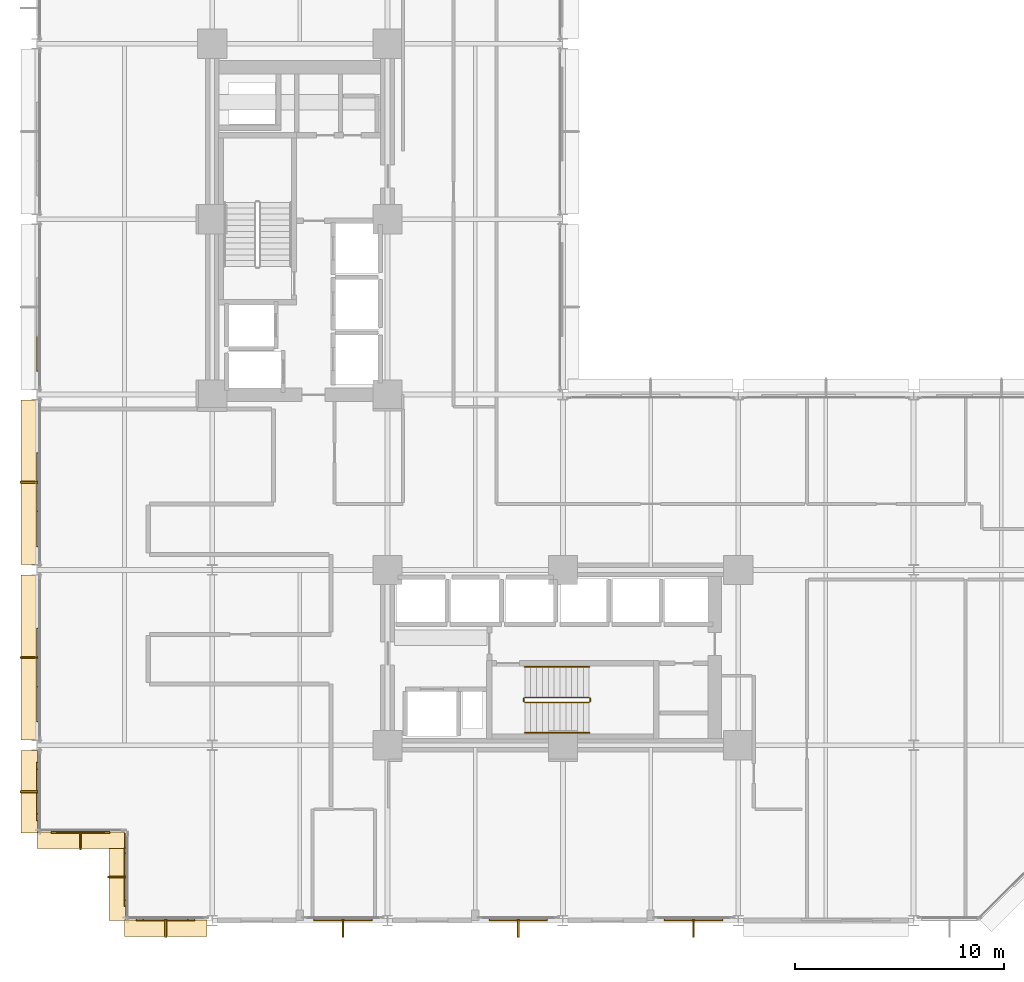
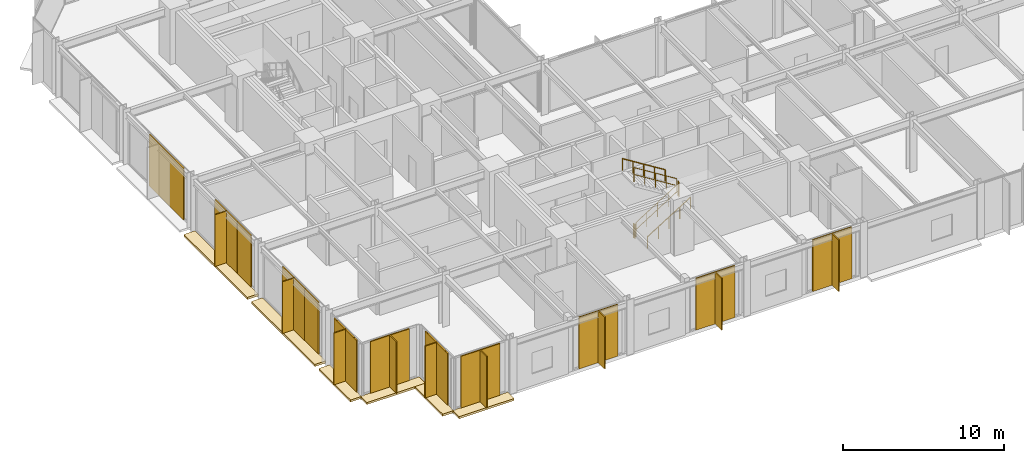
# One storey, part 27 of 30: 18 shading devices, 13 coverings, 6 railings.
"""IFC4 building model written with IfcOpenShell, lengths in metres."""

from ifc_helpers import new_model, si_unit, direction, frame, origin, origin_2d, place, context, subcontext, project, spatial, polyline, rectangle, circle, outline, extrude, material, layer, layer_set, type_object, element, save


model = new_model("IFC4")

# Units and contexts
model_context = context("Model", 3, precision=1e-05, world=origin(), true_north=direction((0.0, 1.0)))
body_context = subcontext(model_context, "Body", "Model", "MODEL_VIEW")
ifc_project = project(units=[si_unit("LENGTHUNIT", "METRE"), si_unit("AREAUNIT", "SQUARE_METRE"), si_unit("VOLUMEUNIT", "CUBIC_METRE"), si_unit("PLANEANGLEUNIT", "RADIAN"), si_unit("MASSUNIT", "GRAM", prefix="KILO")], contexts=[model_context])

# Site, building, storey
site_placement = place(None, origin())
site = spatial("IfcSite", under=ifc_project, at=site_placement, CompositionType="ELEMENT")
building_placement = place(site_placement, origin())
building = spatial("IfcBuilding", under=site, at=building_placement, Name="Nerrivon Quay Data Exchange", CompositionType="ELEMENT")
storey_placement = place(building_placement, frame((0.0, 0.0, 62.60009765625)))
storey = spatial("IfcBuildingStorey", under=building, at=storey_placement, Name="L14", CompositionType="ELEMENT", Elevation=62.60009765625)

# Coverings
ifc_material_1 = material(Name="Architectural terracotta ceramic", Category="masonry")
ifc_layer_1 = layer(ifc_material_1, 0.159912109375)
ifc_layer_set_1 = layer_set([ifc_layer_1], Name="Architectural terracotta ceramic")
covering_type_1 = type_object("IfcCoveringType", Name="COV-BLD-TERR", PredefinedType="CLADDING", material=ifc_layer_set_1)
covering_1_placement = place(storey_placement, frame((0.0, 0.0, -0.16015625)))
element("IfcCovering", 1, at=covering_1_placement, inside=storey, type_object=covering_type_1, Name="L14 Horizontal Terracotta SOLAR SCREEN Blade", PredefinedType="CLADDING", context=body_context, shape_type="SweptSolid", body=[
    extrude(outline(polyline([(8.14990234375, 0.0400390625), (4.199951171875, 0.0400390625), (4.199951171875, -0.75), (8.14990234375, -0.75), (8.14990234375, 0.0400390625)])), origin(), (0.0, 0.0, 1.0), 0.16015625),
])
covering_2_placement = place(storey_placement, frame((0.0, 0.0, -0.16015625)))
element("IfcCovering", 2, at=covering_2_placement, inside=storey, type_object=covering_type_1, Name="L14 Horizontal Terracotta SOLAR SCREEN Blade", PredefinedType="CLADDING", context=body_context, shape_type="SweptSolid", body=[
    extrude(outline(polyline([(4.239990234375, 0.0), (4.239990234375, 4.199951171875), (3.449951171875, 4.199951171875), (3.449951171875, 0.0), (4.239990234375, 0.0)])), origin(), (0.0, 0.0, 1.0), 0.16015625),
])
covering_3_placement = place(storey_placement, frame((0.0, 0.0, -0.16015625)))
element("IfcCovering", 3, at=covering_3_placement, inside=storey, type_object=covering_type_1, Name="L14 Horizontal Terracotta SOLAR SCREEN Blade", PredefinedType="CLADDING", context=body_context, shape_type="SweptSolid", body=[
    extrude(outline(polyline([(4.199951171875, 4.239990234375), (0.0, 4.239990234375), (0.0, 3.449951171875), (4.199951171875, 3.449951171875), (4.199951171875, 4.239990234375)])), origin(), (0.0, 0.0, 1.0), 0.16015625),
])
covering_4_placement = place(storey_placement, frame((0.0, 0.0, -0.16015625)))
element("IfcCovering", 4, at=covering_4_placement, inside=storey, type_object=covering_type_1, Name="L14 Horizontal Terracotta SOLAR SCREEN Blade", PredefinedType="CLADDING", context=body_context, shape_type="SweptSolid", body=[
    extrude(outline(polyline([(0.0400390625, 4.199951171875), (0.0400390625, 8.14990234375), (-0.75, 8.14990234375), (-0.75, 4.199951171875), (0.0400390625, 4.199951171875)])), origin(), (0.0, 0.0, 1.0), 0.16015625),
])
covering_5_placement = place(storey_placement, frame((0.0, 0.0, -0.16015625)))
element("IfcCovering", 5, at=covering_5_placement, inside=storey, type_object=covering_type_1, Name="L14 Horizontal Terracotta SOLAR SCREEN Blade", PredefinedType="CLADDING", context=body_context, shape_type="SweptSolid", body=[
    extrude(outline(polyline([(0.0400390625, 8.64990234375), (0.0400390625, 16.550048828125), (-0.75, 16.550048828125), (-0.75, 8.64990234375), (0.0400390625, 8.64990234375)])), origin(), (0.0, 0.0, 1.0), 0.16015625),
])
covering_6_placement = place(storey_placement, frame((0.0, 0.0, -0.16015625)))
element("IfcCovering", 6, at=covering_6_placement, inside=storey, type_object=covering_type_1, Name="L14 Horizontal Terracotta SOLAR SCREEN Blade", PredefinedType="CLADDING", context=body_context, shape_type="SweptSolid", body=[
    extrude(outline(polyline([(0.0400390625, 17.050048828125), (0.0400390625, 24.949951171875), (-0.75, 24.949951171875), (-0.75, 17.050048828125), (0.0400390625, 17.050048828125)])), origin(), (0.0, 0.0, 1.0), 0.16015625),
])
ifc_layer_2 = layer(ifc_material_1, 0.090087890625)
ifc_layer_set_2 = layer_set([ifc_layer_2], Name="Architectural terracotta ceramic")
covering_type_2 = type_object("IfcCoveringType", Name="COV-SCR-TERR", PredefinedType="CLADDING", material=ifc_layer_set_2)
covering_7_placement = place(storey_placement, frame((6.175048828125, 0.044921875, 0.0), z_axis=(0.0, 0.0, 1.0), x_axis=(-1.0, 0.0, 0.0)))
element("IfcCovering", 7, at=covering_7_placement, inside=storey, type_object=covering_type_2, Name="L14 Perforated Terracotta SOLAR SCREEN Cassette", PredefinedType="CLADDING", context=body_context, shape_type="SweptSolid", body=[
    extrude(rectangle(XDim=2.133056640625, YDim=0.090087890625, at=origin_2d()), origin(), (0.0, 0.0, 1.0), 3.925048828125),
])
for number, where, z_axis, x_axis, name in (
    (8, (4.2451171875, 2.10009765625, 0.0), (0.0, 0.0, 1.0), (0.0, 1.0, 0.0), "L14 Perforated Terracotta SOLAR SCREEN Cassette"),
    (9, (2.10009765625, 4.2451171875, 0.0), (0.0, 0.0, 1.0), (-1.0, 0.0, 0.0), "L14 Perforated Terracotta SOLAR SCREEN Cassette"),
):
    element("IfcCovering", number, at=place(storey_placement, frame(where, z_axis=z_axis, x_axis=x_axis)), inside=storey, type_object=covering_type_2, Name=name, PredefinedType="CLADDING", context=body_context, shape_type="SweptSolid", body=[
        extrude(rectangle(XDim=2.26806640625, YDim=0.090087890625, at=origin_2d()), origin(), (0.0, 0.0, 1.0), 3.925048828125),
    ])
covering_8_placement = place(storey_placement, frame((0.044921875, 6.175048828125, 0.0), z_axis=(0.0, 0.0, 1.0), x_axis=(0.0, 1.0, 0.0)))
element("IfcCovering", 10, at=covering_8_placement, inside=storey, type_object=covering_type_2, Name="L14 Perforated Terracotta SOLAR SCREEN Cassette", PredefinedType="CLADDING", context=body_context, shape_type="SweptSolid", body=[
    extrude(rectangle(XDim=2.133056640625, YDim=0.090087890625, at=origin_2d()), origin(), (0.0, 0.0, 1.0), 3.925048828125),
])
for number, where, z_axis, x_axis, name in (
    (11, (0.044921875, 11.652099609375, 0.0), (0.0, 0.0, 1.0), (0.0, 1.0, 0.0), "L14 Perforated Terracotta SOLAR SCREEN Cassette"),
    (12, (0.044921875, 20.052001953125, 0.0), (0.0, 0.0, 1.0), (0.0, 1.0, 0.0), "L14 Perforated Terracotta SOLAR SCREEN Cassette"),
    (13, (0.044921875, 28.451904296875, 0.0), (0.0, 0.0, 1.0), (0.0, 1.0, 0.0), "L14 Perforated Terracotta SOLAR SCREEN Cassette"),
):
    element("IfcCovering", number, at=place(storey_placement, frame(where, z_axis=z_axis, x_axis=x_axis)), inside=storey, type_object=covering_type_2, Name=name, PredefinedType="CLADDING", context=body_context, shape_type="SweptSolid", body=[
        extrude(rectangle(XDim=4.26611328125, YDim=0.090087890625, at=origin_2d()), origin(), (0.0, 0.0, 1.0), 3.925048828125),
    ])

# Railings
ifc_material_2 = material(Name="Steel Grade C350L0 (350 MPa)", Category="steel")
railing_type_1 = type_object("IfcRailingType", Name="RAIL-HAND-HR1", PredefinedType="HANDRAIL", material=ifc_material_2)
railing_1_placement = place(storey_placement, frame((23.3798828125, 9.0, 0.1748046875)))
element("IfcRailing", 14, at=railing_1_placement, inside=storey, type_object=railing_type_1, Name="L14 ST02 stair handrail 1", PredefinedType="HANDRAIL", context=body_context, shape_type="SweptSolid", body=[
    extrude(circle(Radius=0.02392578125, at=origin_2d()), frame((0.0, 0.0, 0.8759765625), z_axis=(0.847998304005, 0.0, 0.529998940003), x_axis=(0.0, 1.0, 0.0)), (0.0, 0.0, 1.0), 3.632080078125),
    extrude(circle(Radius=0.02099609375, at=origin_2d()), origin(), (0.0, 0.0, 1.0), 0.851806640625),
    extrude(circle(Radius=0.02099609375, at=origin_2d()), frame((0.77001953125, 0.0, 0.481201171875)), (0.0, 0.0, 1.0), 0.851806640625),
    extrude(circle(Radius=0.02099609375, at=origin_2d()), frame((1.5400390625, 0.0, 0.96240234375)), (0.0, 0.0, 1.0), 0.851806640625),
    extrude(circle(Radius=0.02099609375, at=origin_2d()), frame((2.31005859375, 0.0, 1.44384765625)), (0.0, 0.0, 1.0), 0.851806640625),
    extrude(circle(Radius=0.02099609375, at=origin_2d()), frame((3.080078125, 0.0, 1.925048828125)), (0.0, 0.0, 1.0), 0.851806640625),
])
railing_2_placement = place(storey_placement, frame((26.4599609375, 12.14990234375, 2.27490234375)))
element("IfcRailing", 15, at=railing_2_placement, inside=storey, type_object=railing_type_1, Name="L14 ST02 stair handrail 2", PredefinedType="HANDRAIL", context=body_context, shape_type="SweptSolid", body=[
    extrude(circle(Radius=0.02392578125, at=origin_2d()), frame((0.0, 0.0, 0.8759765625), z_axis=(-0.847998304005, 0.0, 0.529998940003), x_axis=(0.0, -1.0, 0.0)), (0.0, 0.0, 1.0), 3.632080078125),
    extrude(circle(Radius=0.02099609375, at=origin_2d()), origin(), (0.0, 0.0, 1.0), 0.851806640625),
    extrude(circle(Radius=0.02099609375, at=origin_2d()), frame((-0.77001953125, 0.0, 0.481201171875)), (0.0, 0.0, 1.0), 0.851806640625),
    extrude(circle(Radius=0.02099609375, at=origin_2d()), frame((-1.5400390625, 0.0, 0.96240234375)), (0.0, 0.0, 1.0), 0.851806640625),
    extrude(circle(Radius=0.02099609375, at=origin_2d()), frame((-2.31005859375, 0.0, 1.44384765625)), (0.0, 0.0, 1.0), 0.851806640625),
    extrude(circle(Radius=0.02099609375, at=origin_2d()), frame((-3.080078125, 0.0, 1.925048828125)), (0.0, 0.0, 1.0), 0.851806640625),
])
railing_type_2 = type_object("IfcRailingType", Name="RAIL-STAIR-GR1", PredefinedType="BALUSTRADE", material=ifc_material_2)
railing_3_placement = place(storey_placement, frame((23.3798828125, 10.449951171875, 0.1748046875)))
element("IfcRailing", 16, at=railing_3_placement, inside=storey, type_object=railing_type_2, Name="L14 ST02 stair guard 1", PredefinedType="BALUSTRADE", context=body_context, shape_type="SweptSolid", body=[
    extrude(circle(Radius=0.02392578125, at=origin_2d()), frame((0.0, 0.0, 1.076171875), z_axis=(0.847998304005, 0.0, 0.529998940003), x_axis=(0.0, 1.0, 0.0)), (0.0, 0.0, 1.0), 3.632080078125),
    extrude(circle(Radius=0.02392578125, at=origin_2d()), frame((0.0, 0.0, 0.550048828125), z_axis=(0.847998304005, 0.0, 0.529998940003), x_axis=(0.0, 1.0, 0.0)), (0.0, 0.0, 1.0), 3.632080078125),
    extrude(circle(Radius=0.02099609375, at=origin_2d()), origin(), (0.0, 0.0, 1.0), 1.052001953125),
    extrude(circle(Radius=0.02099609375, at=origin_2d()), frame((0.77001953125, 0.0, 0.481201171875)), (0.0, 0.0, 1.0), 1.052001953125),
    extrude(circle(Radius=0.02099609375, at=origin_2d()), frame((1.5400390625, 0.0, 0.96240234375)), (0.0, 0.0, 1.0), 1.052001953125),
    extrude(circle(Radius=0.02099609375, at=origin_2d()), frame((2.31005859375, 0.0, 1.44384765625)), (0.0, 0.0, 1.0), 1.052001953125),
    extrude(circle(Radius=0.02099609375, at=origin_2d()), frame((3.080078125, 0.0, 1.925048828125)), (0.0, 0.0, 1.0), 1.052001953125),
])
railing_4_placement = place(storey_placement, frame((26.510009765625, 10.5, 2.099853515625)))
element("IfcRailing", 17, at=railing_4_placement, inside=storey, type_object=railing_type_2, Name="L14 ST02 stair guard 2", PredefinedType="BALUSTRADE", context=body_context, shape_type="SweptSolid", body=[
    extrude(circle(Radius=0.02392578125, at=origin_2d()), frame((0.0, 0.0, 1.076171875), z_axis=(0.0, 1.0, 0.0), x_axis=(-1.0, 0.0, 0.0)), (0.0, 0.0, 1.0), 0.14990234375),
    extrude(circle(Radius=0.02392578125, at=origin_2d()), frame((0.0, 0.0, 0.550048828125), z_axis=(0.0, 1.0, 0.0), x_axis=(-1.0, 0.0, 0.0)), (0.0, 0.0, 1.0), 0.14990234375),
    extrude(circle(Radius=0.02099609375, at=origin_2d()), origin(), (0.0, 0.0, 1.0), 1.052001953125),
    extrude(circle(Radius=0.02099609375, at=origin_2d()), frame((0.0, 0.14990234375, 0.0)), (0.0, 0.0, 1.0), 1.052001953125),
])
railing_5_placement = place(storey_placement, frame((26.4599609375, 10.699951171875, 2.27490234375)))
element("IfcRailing", 18, at=railing_5_placement, inside=storey, type_object=railing_type_2, Name="L14 ST02 stair guard 3", PredefinedType="BALUSTRADE", context=body_context, shape_type="SweptSolid", body=[
    extrude(circle(Radius=0.02392578125, at=origin_2d()), frame((0.0, 0.0, 1.076171875), z_axis=(-0.847998304005, 0.0, 0.529998940003), x_axis=(0.0, -1.0, 0.0)), (0.0, 0.0, 1.0), 3.632080078125),
    extrude(circle(Radius=0.02392578125, at=origin_2d()), frame((0.0, 0.0, 0.550048828125), z_axis=(-0.847998304005, 0.0, 0.529998940003), x_axis=(0.0, -1.0, 0.0)), (0.0, 0.0, 1.0), 3.632080078125),
    extrude(circle(Radius=0.02099609375, at=origin_2d()), origin(), (0.0, 0.0, 1.0), 1.052001953125),
    extrude(circle(Radius=0.02099609375, at=origin_2d()), frame((-0.77001953125, 0.0, 0.481201171875)), (0.0, 0.0, 1.0), 1.052001953125),
    extrude(circle(Radius=0.02099609375, at=origin_2d()), frame((-1.5400390625, 0.0, 0.96240234375)), (0.0, 0.0, 1.0), 1.052001953125),
    extrude(circle(Radius=0.02099609375, at=origin_2d()), frame((-2.31005859375, 0.0, 1.44384765625)), (0.0, 0.0, 1.0), 1.052001953125),
    extrude(circle(Radius=0.02099609375, at=origin_2d()), frame((-3.080078125, 0.0, 1.925048828125)), (0.0, 0.0, 1.0), 1.052001953125),
])
railing_6_placement = place(storey_placement, frame((23.330078125, 10.5, 0.0)))
element("IfcRailing", 19, at=railing_6_placement, inside=storey, type_object=railing_type_2, Name="L14 ST02 stair guard 4", PredefinedType="BALUSTRADE", context=body_context, shape_type="SweptSolid", body=[
    extrude(circle(Radius=0.02392578125, at=origin_2d()), frame((0.0, 0.0, 1.076171875), z_axis=(0.0, 1.0, 0.0), x_axis=(-1.0, 0.0, 0.0)), (0.0, 0.0, 1.0), 0.14990234375),
    extrude(circle(Radius=0.02392578125, at=origin_2d()), frame((0.0, 0.0, 0.550048828125), z_axis=(0.0, 1.0, 0.0), x_axis=(-1.0, 0.0, 0.0)), (0.0, 0.0, 1.0), 0.14990234375),
    extrude(circle(Radius=0.02099609375, at=origin_2d()), origin(), (0.0, 0.0, 1.0), 1.052001953125),
    extrude(circle(Radius=0.02099609375, at=origin_2d()), frame((0.0, 0.14990234375, 0.0)), (0.0, 0.0, 1.0), 1.052001953125),
])

# Shading devices
ifc_layer_3 = layer(ifc_material_1, 0.074951171875)
ifc_layer_set_3 = layer_set([ifc_layer_3], Name="Architectural terracotta ceramic")
shading_device_type_1 = type_object("IfcShadingDeviceType", Name="SHD-FIN-SS02", PredefinedType="USERDEFINED", material=ifc_layer_set_3)
for number, where, z_axis, x_axis, name in (
    (20, (31.46240234375, -0.3798828125, 0.0), (0.0, 0.0, 1.0), (-1.0, 0.0, 0.0), "L14 Subtropical Solar Fin Blade 8"),
    (21, (23.0625, -0.3798828125, 0.0), (0.0, 0.0, 1.0), (-1.0, 0.0, 0.0), "L14 Subtropical Solar Fin Blade 10"),
    (22, (14.66259765625, -0.3798828125, 0.0), (0.0, 0.0, 1.0), (-1.0, 0.0, 0.0), "L14 Subtropical Solar Fin Blade 12"),
    (23, (6.175048828125, -0.3798828125, 0.0), (0.0, 0.0, 1.0), (-1.0, 0.0, 0.0), "L14 Subtropical Solar Fin Blade 14"),
    (24, (3.820068359375, 2.10009765625, 0.0), (0.0, 0.0, 1.0), (0.0, 1.0, 0.0), "L14 Subtropical Solar Fin Blade 15"),
    (25, (2.10009765625, 3.820068359375, 0.0), (0.0, 0.0, 1.0), (-1.0, 0.0, 0.0), "L14 Subtropical Solar Fin Blade 16"),
    (26, (-0.3798828125, 6.175048828125, 0.0), (0.0, 0.0, 1.0), (0.0, 1.0, 0.0), "L14 Subtropical Solar Fin Blade 17"),
    (27, (-0.3798828125, 12.60009765625, 0.0), (0.0, 0.0, 1.0), (0.0, 1.0, 0.0), "L14 Subtropical Solar Fin Blade 18"),
    (28, (-0.3798828125, 21.0, 0.0), (0.0, 0.0, 1.0), (0.0, 1.0, 0.0), "L14 Subtropical Solar Fin Blade 19"),
):
    element("IfcShadingDevice", number, at=place(storey_placement, frame(where, z_axis=z_axis, x_axis=x_axis)), inside=storey, type_object=shading_device_type_1, Name=name, ObjectType="FIN", PredefinedType="USERDEFINED", context=body_context, shape_type="SweptSolid", body=[
        extrude(rectangle(XDim=0.074951171875, YDim=0.85009765625, at=origin_2d()), origin(), (0.0, 0.0, 1.0), 3.925048828125),
    ])
ifc_layer_4 = layer(ifc_material_1, 0.0849609375)
ifc_layer_set_4 = layer_set([ifc_layer_4], Name="Architectural terracotta ceramic")
shading_device_type_2 = type_object("IfcShadingDeviceType", Name="SHD-SCR-SS01", PredefinedType="USERDEFINED", material=ifc_layer_set_4)
for number, where, z_axis, x_axis, name in (
    (29, (31.46240234375, 0.0400390625, 0.0), (0.0, 0.0, 1.0), (-1.0, 0.0, 0.0), "L14 Perforated Terracotta Solar Screen 8"),
    (30, (23.0625, 0.0400390625, 0.0), (0.0, 0.0, 1.0), (-1.0, 0.0, 0.0), "L14 Perforated Terracotta Solar Screen 10"),
    (31, (14.66259765625, 0.0400390625, 0.0), (0.0, 0.0, 1.0), (-1.0, 0.0, 0.0), "L14 Perforated Terracotta Solar Screen 12"),
    (32, (6.175048828125, 0.0400390625, 0.0), (0.0, 0.0, 1.0), (-1.0, 0.0, 0.0), "L14 Perforated Terracotta Solar Screen 14"),
    (33, (4.239990234375, 2.10009765625, 0.0), (0.0, 0.0, 1.0), (0.0, 1.0, 0.0), "L14 Perforated Terracotta Solar Screen 15"),
    (34, (2.10009765625, 4.239990234375, 0.0), (0.0, 0.0, 1.0), (-1.0, 0.0, 0.0), "L14 Perforated Terracotta Solar Screen 16"),
    (35, (0.0400390625, 6.175048828125, 0.0), (0.0, 0.0, 1.0), (0.0, 1.0, 0.0), "L14 Perforated Terracotta Solar Screen 17"),
    (36, (0.0400390625, 12.60009765625, 0.0), (0.0, 0.0, 1.0), (0.0, 1.0, 0.0), "L14 Perforated Terracotta Solar Screen 18"),
    (37, (0.0400390625, 21.0, 0.0), (0.0, 0.0, 1.0), (0.0, 1.0, 0.0), "L14 Perforated Terracotta Solar Screen 19"),
):
    element("IfcShadingDevice", number, at=place(storey_placement, frame(where, z_axis=z_axis, x_axis=x_axis)), inside=storey, type_object=shading_device_type_2, Name=name, ObjectType="SCREEN", PredefinedType="USERDEFINED", context=body_context, shape_type="SweptSolid", body=[
        extrude(rectangle(XDim=2.800048828125, YDim=0.0849609375, at=origin_2d()), origin(), (0.0, 0.0, 1.0), 3.925048828125),
    ])

save(model, "model.ifc")
